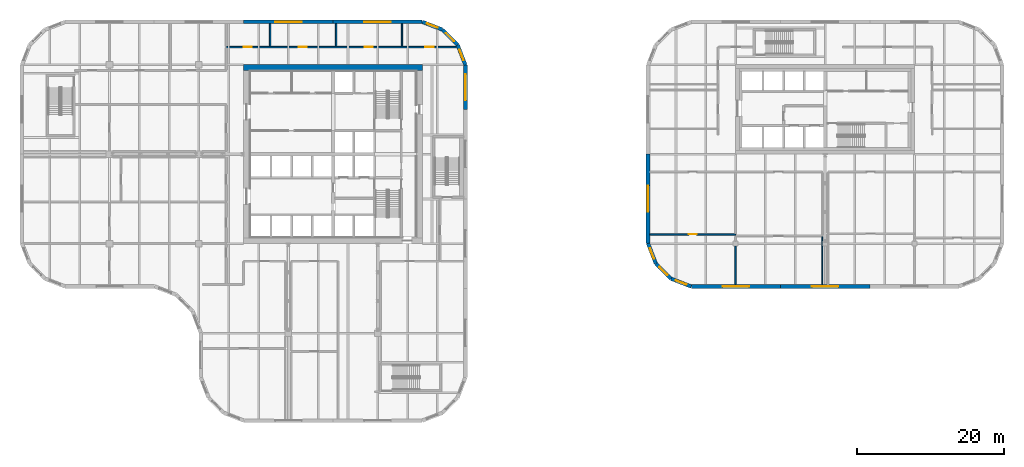
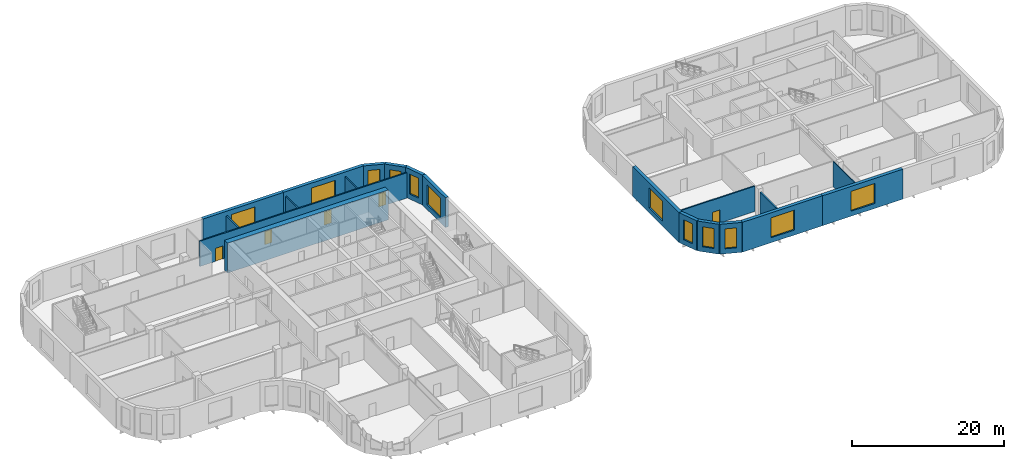
# One storey, part 13 of 21: 20 walls, 12 windows, 5 doors, 17 openings.
"""IFC4 building model written with IfcOpenShell, lengths in metres."""

from ifc_helpers import new_model, si_unit, direction, frame, frame_2d, origin, place, context, subcontext, project, spatial, polyline, rectangle, outline, extrude, faceted_brep, source, transform, mapped, material, layer, layer_set, type_object, element, fill, save


model = new_model("IFC4")

# Units and contexts
model_context = context("Model", 3, precision=1e-05, world=origin(), true_north=direction((0.0, 1.0)))
body_context = subcontext(model_context, "Body", "Model", "MODEL_VIEW")
ifc_project = project(units=[si_unit("LENGTHUNIT", "METRE"), si_unit("AREAUNIT", "SQUARE_METRE"), si_unit("VOLUMEUNIT", "CUBIC_METRE"), si_unit("PLANEANGLEUNIT", "RADIAN"), si_unit("MASSUNIT", "GRAM", prefix="KILO")], contexts=[model_context])

# Site, building, storey
site_placement = place(None, origin())
site = spatial("IfcSite", under=ifc_project, at=site_placement, CompositionType="ELEMENT")
building_placement = place(site_placement, origin())
building = spatial("IfcBuilding", under=site, at=building_placement, Name="Tessera Gate Towers", CompositionType="ELEMENT")
storey_placement = place(building_placement, frame((0.0, 0.0, 63.800048828125)))
storey = spatial("IfcBuildingStorey", under=building, at=storey_placement, Name="L15", CompositionType="ELEMENT", Elevation=63.800048828125)

# Walls
ifc_material_1 = material(Name="Gypsum board on steel studs, mineral wool", Category="steel")
ifc_layer_1 = layer(ifc_material_1, 0.14990234375)
ifc_layer_set_1 = layer_set([ifc_layer_1], Name="CHASE WALL 150")
wall_type_1 = type_object("IfcWallType", Name="CHASE WALL 150", PredefinedType="PARTITIONING", material=ifc_layer_set_1)
wall_1_placement = place(storey_placement, frame((109.39990234375, 18.800048828125, 0.0), z_axis=(0.0, 0.0, 1.0), x_axis=(0.0, 1.0, 0.0)))
element("IfcWall", 1, at=wall_1_placement, inside=storey, type_object=wall_type_1, Name="T2-L15-PW-002", PredefinedType="PARTITIONING", context=body_context, shape_type="SweptSolid", body=[
    extrude(rectangle(XDim=6.549072265625, YDim=0.14990234375, at=frame_2d((3.2744140625, 0.0))), origin(), (0.0, 0.0, 1.0), 4.06689453125),
])
ifc_material_2 = material(Name="Concrete C60/75", Category="concrete")
ifc_layer_2 = layer(ifc_material_2, 0.800048828125)
ifc_layer_set_2 = layer_set([ifc_layer_2], Name="CORE SHEAR WALL 800 C60/75")
wall_type_2 = type_object("IfcWallType", Name="CORE SHEAR WALL 800 C60/75", PredefinedType="SHEAR", material=ifc_layer_set_2)
wall_2_placement = place(storey_placement, frame((30.5, 48.39990234375, 0.0), z_axis=(0.0, 0.0, 1.0), x_axis=(1.0, 0.0, 0.0)))
element("IfcWall", 2, at=wall_2_placement, inside=storey, type_object=wall_type_2, Name="Core wall N L15", PredefinedType="SHEAR", context=body_context, shape_type="SweptSolid", body=[
    extrude(rectangle(XDim=24.39990234375, YDim=0.800048828125, at=frame_2d((12.199951171875, 0.0))), origin(), (0.0, 0.0, 1.0), 4.800048828125),
])

# Wall, openings, doors
ifc_material_3 = material(Name="Concrete masonry unit", Category="masonry")
ifc_layer_3 = layer(ifc_material_3, 0.199951171875)
ifc_layer_set_3 = layer_set([ifc_layer_3], Name="PLANT WALL 200")
wall_type_3 = type_object("IfcWallType", Name="PLANT WALL 200", PredefinedType="PARTITIONING", material=ifc_layer_set_3)
wall_3_placement = place(storey_placement, frame((28.10009765625, 51.199951171875, 0.0), z_axis=(0.0, 0.0, 1.0), x_axis=(1.0, 0.0, 0.0)))
wall_3 = element("IfcWall", 3, at=wall_3_placement, inside=storey, type_object=wall_type_3, Name="T1-L15-PW-045", PredefinedType="PARTITIONING", context=body_context, shape_type="SweptSolid", body=[
    extrude(rectangle(XDim=31.4130859375, YDim=0.199951171875, at=frame_2d((15.70654296875, 0.0))), origin(), (0.0, 0.0, 1.0), 4.06689453125),
])
shared_shape_1 = source(origin(), body_context, "Body", "SweptSolid", [
    extrude(rectangle(XDim=1.10009765625, YDim=2.10009765625, at=frame_2d((0.550048828125, 1.050048828125))), frame((0.0, 0.10986328125, 0.0), z_axis=(0.0, -1.0, 0.0), x_axis=(1.0, 0.0, 0.0)), (0.0, 0.0, 1.0), 0.219970703125),
])
opening_1_placement = place(wall_3_placement, frame((2.39990234375, 0.0, 0.0)))
opening_1 = element("IfcOpeningElement", 4, at=opening_1_placement, cuts=wall_3, Name="Opening D5110FD90-A30-09", PredefinedType="OPENING", context=body_context, shape_type="MappedRepresentation", body=[
    mapped(shared_shape_1, transform((0.0, 0.0, 0.0), scale=1.0)),
])
opening_2_placement = place(wall_3_placement, frame((27.200927734375, 0.0, 0.0)))
opening_2 = element("IfcOpeningElement", 5, at=opening_2_placement, cuts=wall_3, Name="Opening D5110FD90-A30-14", PredefinedType="OPENING", context=body_context, shape_type="MappedRepresentation", body=[
    mapped(shared_shape_1, transform((0.0, 0.0, 0.0), scale=1.0)),
])
opening_3_placement = place(wall_3_placement, frame((18.90087890625, 0.0, 0.0)))
opening_3 = element("IfcOpeningElement", 6, at=opening_3_placement, cuts=wall_3, Name="Opening D5110FD90-A30-19", PredefinedType="OPENING", context=body_context, shape_type="MappedRepresentation", body=[
    mapped(shared_shape_1, transform((0.0, 0.0, 0.0), scale=1.0)),
])
opening_4_placement = place(wall_3_placement, frame((9.89990234375, 0.0, 0.0)))
opening_4 = element("IfcOpeningElement", 7, at=opening_4_placement, cuts=wall_3, Name="Opening D5110FD90-A30-20", PredefinedType="OPENING", context=body_context, shape_type="MappedRepresentation", body=[
    mapped(shared_shape_1, transform((0.0, 0.0, 0.0), scale=1.0)),
])
ifc_material_4 = material(Name="Timber door leaf in steel frame", Category="steel")
door_type = type_object("IfcDoorType", Name="PLANT DOOR 1100 FD90", OperationType="NOTDEFINED", PredefinedType="DOOR", material=ifc_material_4)
shared_shape_2 = source(origin(), body_context, "Body", "SweptSolid", [
    extrude(rectangle(XDim=1.10009765625, YDim=2.10009765625, at=frame_2d((0.550048828125, 1.050048828125))), frame((0.0, 0.02490234375, 0.0), z_axis=(0.0, -1.0, 0.0), x_axis=(1.0, 0.0, 0.0)), (0.0, 0.0, 1.0), 0.050048828125),
])
door_1_placement = place(opening_1_placement, origin())
door_1 = element("IfcDoor", 8, at=door_1_placement, inside=storey, type_object=door_type, Name="T1-L15-PD-009", OperationType="SINGLE_SWING_LEFT", OverallHeight=2.10009765625, OverallWidth=1.10009765625, PredefinedType="DOOR", context=body_context, shape_type="MappedRepresentation", body=[
    mapped(shared_shape_2, transform((0.0, 0.0, 0.0), scale=1.0)),
])
fill(opening_1, door_1)
door_2_placement = place(opening_2_placement, origin())
door_2 = element("IfcDoor", 9, at=door_2_placement, inside=storey, type_object=door_type, Name="T1-L15-PD-014", OperationType="SINGLE_SWING_LEFT", OverallHeight=2.10009765625, OverallWidth=1.10009765625, PredefinedType="DOOR", context=body_context, shape_type="MappedRepresentation", body=[
    mapped(shared_shape_2, transform((0.0, 0.0, 0.0), scale=1.0)),
])
fill(opening_2, door_2)
door_3_placement = place(opening_3_placement, origin())
door_3 = element("IfcDoor", 10, at=door_3_placement, inside=storey, type_object=door_type, Name="T1-L15-PD-019", OperationType="SINGLE_SWING_LEFT", OverallHeight=2.10009765625, OverallWidth=1.10009765625, PredefinedType="DOOR", context=body_context, shape_type="MappedRepresentation", body=[
    mapped(shared_shape_2, transform((0.0, 0.0, 0.0), scale=1.0)),
])
fill(opening_3, door_3)
door_4_placement = place(opening_4_placement, origin())
door_4 = element("IfcDoor", 11, at=door_4_placement, inside=storey, type_object=door_type, Name="T1-L15-PD-020", OperationType="SINGLE_SWING_LEFT", OverallHeight=2.10009765625, OverallWidth=1.10009765625, PredefinedType="DOOR", context=body_context, shape_type="MappedRepresentation", body=[
    mapped(shared_shape_2, transform((0.0, 0.0, 0.0), scale=1.0)),
])
fill(opening_4, door_4)

# Walls
for number, where, z_axis, x_axis, name in (
    (12, (34.10009765625, 51.301025390625, 0.0), (0.0, 0.0, 1.0), (0.0, 1.0, 0.0), "T1-L15-PW-047"),
    (13, (43.10009765625, 51.301025390625, 0.0), (0.0, 0.0, 1.0), (0.0, 1.0, 0.0), "T1-L15-PW-048"),
    (14, (52.10009765625, 51.301025390625, 0.0), (0.0, 0.0, 1.0), (0.0, 1.0, 0.0), "T1-L15-PW-049"),
):
    element("IfcWall", number, at=place(storey_placement, frame(where, z_axis=z_axis, x_axis=x_axis)), inside=storey, type_object=wall_type_3, Name=name, PredefinedType="PARTITIONING", context=body_context, shape_type="SweptSolid", body=[
        extrude(rectangle(XDim=3.098876953125, YDim=0.199951171875, at=frame_2d((1.54931640625, 0.0))), origin(), (0.0, 0.0, 1.0), 4.06689453125),
    ])
wall_4_placement = place(storey_placement, frame((97.60009765625, 18.800048828125, 0.0), z_axis=(0.0, 0.0, 1.0), x_axis=(0.0, 1.0, 0.0)))
element("IfcWall", 15, at=wall_4_placement, inside=storey, type_object=wall_type_3, Name="T2-L15-PW-001", PredefinedType="PARTITIONING", context=body_context, shape_type="SweptSolid", body=[
    extrude(rectangle(XDim=5.2490234375, YDim=0.199951171875, at=frame_2d((2.62451171875, 0.0))), origin(), (0.0, 0.0, 1.0), 4.06689453125),
])

# Wall, opening, door
wall_5_placement = place(storey_placement, frame((97.60009765625, 25.675048828125, 0.0), z_axis=(0.0, 0.0, 1.0), x_axis=(-1.0, 0.0, 0.0)))
wall_5 = element("IfcWall", 16, at=wall_5_placement, inside=storey, type_object=wall_type_3, Name="T2-L15-PW-011", PredefinedType="PARTITIONING", context=body_context, shape_type="SweptSolid", body=[
    extrude(rectangle(XDim=11.7001953125, YDim=0.199951171875, at=frame_2d((5.85009765625, 0.0))), origin(), (0.0, 0.0, 1.0), 4.06689453125),
])
opening_5_placement = place(wall_5_placement, frame((5.300048828125, 0.0, 0.0)))
opening_5 = element("IfcOpeningElement", 17, at=opening_5_placement, cuts=wall_5, Name="Opening D5110FD90-B20-08", PredefinedType="OPENING", context=body_context, shape_type="MappedRepresentation", body=[
    mapped(shared_shape_1, transform((0.0, 0.0, 0.0), scale=1.0)),
])
door_5_placement = place(opening_5_placement, origin())
door_5 = element("IfcDoor", 18, at=door_5_placement, inside=storey, type_object=door_type, Name="T2-L15-PD-008", OperationType="SINGLE_SWING_RIGHT", OverallHeight=2.10009765625, OverallWidth=1.10009765625, PredefinedType="DOOR", context=body_context, shape_type="MappedRepresentation", body=[
    mapped(shared_shape_2, transform((0.0, 0.0, 0.0), scale=1.0)),
])
fill(opening_5, door_5)

# Wall, opening, window
ifc_material_5 = material(Name="Precast concrete C60/75 white", Category="concrete")
ifc_layer_4 = layer(ifc_material_5, 0.5)
ifc_layer_set_4 = layer_set([ifc_layer_4], Name="RB1 ring band panel")
wall_type_4 = type_object("IfcWallType", Name="RB1 ring band panel", PredefinedType="SOLIDWALL", material=ifc_layer_set_4)
shared_shape_3 = source(origin(), body_context, "Body", "Brep", [
    faceted_brep([(0.0, -0.25, 0.0), (12.153564453125, -0.25, 0.0), (12.153564453125, -0.25, 4.800048828125), (0.0, -0.25, 4.800048828125), (0.046630859375, 0.25, 4.800048828125), (12.153564453125, 0.25, 4.800048828125), (12.153564453125, 0.25, 0.0), (0.046630859375, 0.25, 0.0), (0.0, 0.0, 0.0), (0.0, 0.0, 4.800048828125)], [[[0, 1, 2, 3]], [[4, 5, 6, 7]], [[7, 6, 1, 0, 8]], [[5, 4, 9, 3, 2]], [[8, 0, 3, 9]], [[7, 8, 9, 4]], [[1, 6, 5, 2]]]),
])
wall_6_placement = place(storey_placement, frame((54.853515625, 54.64990234375, 0.0), z_axis=(0.0, 0.0, 1.0), x_axis=(-1.0, 0.0, 0.0)))
wall_6 = element("IfcWall", 19, at=wall_6_placement, inside=storey, type_object=wall_type_4, Name="Ring band panel T1 RB1-0013", PredefinedType="SOLIDWALL", context=body_context, shape_type="MappedRepresentation", body=[
    mapped(shared_shape_3, transform((0.0, 0.0, 0.0), scale=1.0)),
])
shared_shape_4 = source(origin(), body_context, "Body", "SweptSolid", [
    extrude(outline(polyline([(4.276611328125, 0.800048828125), (7.876708984375, 0.800048828125), (7.876708984375, 4.0), (4.276611328125, 4.0), (4.276611328125, 0.800048828125)])), frame((0.0, 0.260009765625, 0.0), z_axis=(0.0, -1.0, 0.0), x_axis=(1.0, 0.0, 0.0)), (0.0, 0.0, 1.0), 0.52001953125),
])
opening_6_placement = place(wall_6_placement, origin())
opening_6 = element("IfcOpeningElement", 20, at=opening_6_placement, cuts=wall_6, Name="Opening T1-WN-LV1-0013", PredefinedType="OPENING", context=body_context, shape_type="MappedRepresentation", body=[
    mapped(shared_shape_4, transform((0.0, 0.0, 0.0), scale=1.0)),
])
ifc_material_6 = material(Name="Aluminium louvre", Category="aluminium")
ifc_layer_5 = layer(ifc_material_6, 0.06005859375)
ifc_layer_set_5 = layer_set([ifc_layer_5], Name="LV1 louvre")
window_type = type_object("IfcWindowType", Name="LV1 louvre", PartitioningType="USERDEFINED", PredefinedType="WINDOW", material=ifc_layer_set_5)
shared_shape_5 = source(origin(), body_context, "Body", "SweptSolid", [
    extrude(outline(polyline([(4.276611328125, 0.800048828125), (7.876708984375, 0.800048828125), (7.876708984375, 4.0), (4.276611328125, 4.0), (4.276611328125, 0.800048828125)])), frame((0.0, 0.030029296875, 0.0), z_axis=(0.0, -1.0, 0.0), x_axis=(1.0, 0.0, 0.0)), (0.0, 0.0, 1.0), 0.06005859375),
])
window_1_placement = place(opening_6_placement, origin())
window_1 = element("IfcWindow", 21, at=window_1_placement, inside=storey, type_object=window_type, Name="Louvre T1 WN-LV1-0013", OverallHeight=3.199951171875, OverallWidth=3.60009765625, PartitioningType="USERDEFINED", PredefinedType="WINDOW", context=body_context, shape_type="MappedRepresentation", body=[
    mapped(shared_shape_5, transform((0.0, 0.0, 0.0), scale=1.0)),
])
fill(opening_6, window_1)

wall_7_placement = place(storey_placement, frame((91.546630859375, 18.550048828125, 0.0), z_axis=(0.0, 0.0, 1.0), x_axis=(1.0, 0.0, 0.0)))
wall_7 = element("IfcWall", 22, at=wall_7_placement, inside=storey, type_object=wall_type_4, Name="Ring band panel T2 RB1-0001", PredefinedType="SOLIDWALL", context=body_context, shape_type="MappedRepresentation", body=[
    mapped(shared_shape_3, transform((0.0, 0.0, 0.0), scale=1.0)),
])
opening_7_placement = place(wall_7_placement, origin())
opening_7 = element("IfcOpeningElement", 23, at=opening_7_placement, cuts=wall_7, Name="Opening T2-WN-LV1-0001", PredefinedType="OPENING", context=body_context, shape_type="MappedRepresentation", body=[
    mapped(shared_shape_4, transform((0.0, 0.0, 0.0), scale=1.0)),
])
window_2_placement = place(opening_7_placement, origin())
window_2 = element("IfcWindow", 24, at=window_2_placement, inside=storey, type_object=window_type, Name="Louvre T2 WN-LV1-0001", OverallHeight=3.199951171875, OverallWidth=3.60009765625, PartitioningType="USERDEFINED", PredefinedType="WINDOW", context=body_context, shape_type="MappedRepresentation", body=[
    mapped(shared_shape_5, transform((0.0, 0.0, 0.0), scale=1.0)),
])
fill(opening_7, window_2)

shared_shape_6 = source(origin(), body_context, "Body", "Brep", [
    faceted_brep([(0.0, -0.25, 0.0), (12.153564453125, -0.25, 0.0), (12.153564453125, -0.25, 4.800048828125), (0.0, -0.25, 4.800048828125), (0.0, 0.25, 4.800048828125), (12.10693359375, 0.25, 4.800048828125), (12.10693359375, 0.25, 0.0), (0.0, 0.25, 0.0), (12.153564453125, -0.00048828125, 0.0), (12.153564453125, -0.00048828125, 4.800048828125)], [[[0, 1, 2, 3]], [[4, 5, 6, 7]], [[7, 6, 8, 1, 0]], [[9, 2, 1, 8]], [[5, 4, 3, 2, 9]], [[4, 7, 0, 3]], [[8, 6, 5, 9]]]),
])
wall_8_placement = place(storey_placement, frame((85.64990234375, 36.60009765625, 0.0), z_axis=(0.0, 0.0, 1.0), x_axis=(0.0, -1.0, 0.0)))
wall_8 = element("IfcWall", 25, at=wall_8_placement, inside=storey, type_object=wall_type_4, Name="Ring band panel T2 RB1-0019", PredefinedType="SOLIDWALL", context=body_context, shape_type="MappedRepresentation", body=[
    mapped(shared_shape_6, transform((0.0, 0.0, 0.0), scale=1.0)),
])
opening_8_placement = place(wall_8_placement, origin())
opening_8 = element("IfcOpeningElement", 26, at=opening_8_placement, cuts=wall_8, Name="Opening T2-WN-LV1-0019", PredefinedType="OPENING", context=body_context, shape_type="MappedRepresentation", body=[
    mapped(shared_shape_4, transform((0.0, 0.0, 0.0), scale=1.0)),
])
window_3_placement = place(opening_8_placement, origin())
window_3 = element("IfcWindow", 27, at=window_3_placement, inside=storey, type_object=window_type, Name="Louvre T2 WN-LV1-0019", OverallHeight=3.199951171875, OverallWidth=3.60009765625, PartitioningType="USERDEFINED", PredefinedType="WINDOW", context=body_context, shape_type="MappedRepresentation", body=[
    mapped(shared_shape_5, transform((0.0, 0.0, 0.0), scale=1.0)),
])
fill(opening_8, window_3)

shared_shape_7 = source(origin(), body_context, "Body", "Brep", [
    faceted_brep([(0.0, -0.25, 0.0), (2.950439453125, -0.25, 0.0), (2.950439453125, -0.25, 4.800048828125), (0.0, -0.25, 4.800048828125), (0.046630859375, 0.25, 4.800048828125), (2.897705078125, 0.25, 4.800048828125), (2.897705078125, 0.25, 0.0), (0.046630859375, 0.25, 0.0), (2.950439453125, 0.00048828125, 0.0), (0.0, 0.0, 0.0), (2.950439453125, 0.00048828125, 4.800048828125), (0.0, 0.0, 4.800048828125)], [[[0, 1, 2, 3]], [[4, 5, 6, 7]], [[7, 6, 8, 1, 0, 9]], [[10, 2, 1, 8]], [[5, 4, 11, 3, 2, 10]], [[9, 0, 3, 11]], [[7, 9, 11, 4]], [[8, 6, 5, 10]]]),
])
wall_9_placement = place(storey_placement, frame((60.75, 48.75341796875, 0.0), z_axis=(0.0, 0.0, 1.0), x_axis=(-0.359877213415, 0.932999673775, 0.0)))
wall_9 = element("IfcWall", 28, at=wall_9_placement, inside=storey, type_object=wall_type_4, Name="Ring band panel T1 RB1-0010", PredefinedType="SOLIDWALL", context=body_context, shape_type="MappedRepresentation", body=[
    mapped(shared_shape_7, transform((0.0, 0.0, 0.0), scale=1.0)),
])
shared_shape_8 = source(origin(), body_context, "Body", "SweptSolid", [
    extrude(outline(polyline([(0.699951171875, 0.800048828125), (2.25048828125, 0.800048828125), (2.25048828125, 4.0), (0.699951171875, 4.0), (0.699951171875, 0.800048828125)])), frame((0.0, 0.260009765625, 0.0), z_axis=(0.0, -1.0, 0.0), x_axis=(1.0, 0.0, 0.0)), (0.0, 0.0, 1.0), 0.52001953125),
])
opening_9_placement = place(wall_9_placement, origin())
opening_9 = element("IfcOpeningElement", 29, at=opening_9_placement, cuts=wall_9, Name="Opening T1-WN-LV1-0010", PredefinedType="OPENING", context=body_context, shape_type="MappedRepresentation", body=[
    mapped(shared_shape_8, transform((0.0, 0.0, 0.0), scale=1.0)),
])
shared_shape_9 = source(origin(), body_context, "Body", "SweptSolid", [
    extrude(outline(polyline([(0.699951171875, 0.800048828125), (2.25048828125, 0.800048828125), (2.25048828125, 4.0), (0.699951171875, 4.0), (0.699951171875, 0.800048828125)])), frame((0.0, 0.030029296875, 0.0), z_axis=(0.0, -1.0, 0.0), x_axis=(1.0, 0.0, 0.0)), (0.0, 0.0, 1.0), 0.06005859375),
])
window_4_placement = place(opening_9_placement, origin())
window_4 = element("IfcWindow", 30, at=window_4_placement, inside=storey, type_object=window_type, Name="Louvre T1 WN-LV1-0010", OverallHeight=3.199951171875, OverallWidth=1.550537109375, PartitioningType="USERDEFINED", PredefinedType="WINDOW", context=body_context, shape_type="MappedRepresentation", body=[
    mapped(shared_shape_9, transform((0.0, 0.0, 0.0), scale=1.0)),
])
fill(opening_9, window_4)

wall_10_placement = place(storey_placement, frame((85.64990234375, 24.446533203125, 0.0), z_axis=(0.0, 0.0, 1.0), x_axis=(0.359949242603, -0.932971887438, 0.0)))
wall_10 = element("IfcWall", 31, at=wall_10_placement, inside=storey, type_object=wall_type_4, Name="Ring band panel T2 RB1-0020", PredefinedType="SOLIDWALL", context=body_context, shape_type="MappedRepresentation", body=[
    mapped(shared_shape_7, transform((0.0, 0.0, 0.0), scale=1.0)),
])
opening_10_placement = place(wall_10_placement, origin())
opening_10 = element("IfcOpeningElement", 32, at=opening_10_placement, cuts=wall_10, Name="Opening T2-WN-LV1-0020", PredefinedType="OPENING", context=body_context, shape_type="MappedRepresentation", body=[
    mapped(shared_shape_8, transform((0.0, 0.0, 0.0), scale=1.0)),
])
window_5_placement = place(opening_10_placement, origin())
window_5 = element("IfcWindow", 33, at=window_5_placement, inside=storey, type_object=window_type, Name="Louvre T2 WN-LV1-0020", OverallHeight=3.199951171875, OverallWidth=1.550537109375, PartitioningType="USERDEFINED", PredefinedType="WINDOW", context=body_context, shape_type="MappedRepresentation", body=[
    mapped(shared_shape_9, transform((0.0, 0.0, 0.0), scale=1.0)),
])
fill(opening_10, window_5)

shared_shape_10 = source(origin(), body_context, "Body", "Brep", [
    faceted_brep([(0.0, -0.25, 0.0), (2.944091796875, -0.25, 0.0), (2.944091796875, -0.25, 4.800048828125), (0.0, -0.25, 4.800048828125), (0.052978515625, 0.25, 4.800048828125), (2.89111328125, 0.25, 4.800048828125), (2.89111328125, 0.25, 0.0), (0.052978515625, 0.25, 0.0), (2.944091796875, 0.000244140625, 0.0), (0.0, 0.0, 0.0), (2.944091796875, 0.000244140625, 4.800048828125), (0.0, 0.0, 4.800048828125)], [[[0, 1, 2, 3]], [[4, 5, 6, 7]], [[7, 6, 8, 1, 0, 9]], [[10, 2, 1, 8]], [[5, 4, 11, 3, 2, 10]], [[9, 0, 3, 11]], [[7, 9, 11, 4]], [[8, 6, 5, 10]]]),
])
wall_11_placement = place(storey_placement, frame((59.68798828125, 51.50634765625, 0.0), z_axis=(0.0, 0.0, 1.0), x_axis=(-0.707106781187, 0.707106781187, 0.0)))
wall_11 = element("IfcWall", 34, at=wall_11_placement, inside=storey, type_object=wall_type_4, Name="Ring band panel T1 RB1-0011", PredefinedType="SOLIDWALL", context=body_context, shape_type="MappedRepresentation", body=[
    mapped(shared_shape_10, transform((0.0, 0.0, 0.0), scale=1.0)),
])
shared_shape_11 = source(origin(), body_context, "Body", "SweptSolid", [
    extrude(outline(polyline([(0.699951171875, 0.800048828125), (2.244140625, 0.800048828125), (2.244140625, 4.0), (0.699951171875, 4.0), (0.699951171875, 0.800048828125)])), frame((0.0, 0.260009765625, 0.0), z_axis=(0.0, -1.0, 0.0), x_axis=(1.0, 0.0, 0.0)), (0.0, 0.0, 1.0), 0.52001953125),
])
opening_11_placement = place(wall_11_placement, origin())
opening_11 = element("IfcOpeningElement", 35, at=opening_11_placement, cuts=wall_11, Name="Opening T1-WN-LV1-0011", PredefinedType="OPENING", context=body_context, shape_type="MappedRepresentation", body=[
    mapped(shared_shape_11, transform((0.0, 0.0, 0.0), scale=1.0)),
])
shared_shape_12 = source(origin(), body_context, "Body", "SweptSolid", [
    extrude(outline(polyline([(0.699951171875, 0.800048828125), (2.244140625, 0.800048828125), (2.244140625, 4.0), (0.699951171875, 4.0), (0.699951171875, 0.800048828125)])), frame((0.0, 0.030029296875, 0.0), z_axis=(0.0, -1.0, 0.0), x_axis=(1.0, 0.0, 0.0)), (0.0, 0.0, 1.0), 0.06005859375),
])
window_6_placement = place(opening_11_placement, origin())
window_6 = element("IfcWindow", 36, at=window_6_placement, inside=storey, type_object=window_type, Name="Louvre T1 WN-LV1-0011", OverallHeight=3.199951171875, OverallWidth=1.544189453125, PartitioningType="USERDEFINED", PredefinedType="WINDOW", context=body_context, shape_type="MappedRepresentation", body=[
    mapped(shared_shape_12, transform((0.0, 0.0, 0.0), scale=1.0)),
])
fill(opening_11, window_6)

wall_12_placement = place(storey_placement, frame((86.7119140625, 21.69384765625, 0.0), z_axis=(0.0, 0.0, 1.0), x_axis=(0.707106781187, -0.707106781187, 0.0)))
wall_12 = element("IfcWall", 37, at=wall_12_placement, inside=storey, type_object=wall_type_4, Name="Ring band panel T2 RB1-0021", PredefinedType="SOLIDWALL", context=body_context, shape_type="MappedRepresentation", body=[
    mapped(shared_shape_10, transform((0.0, 0.0, 0.0), scale=1.0)),
])
opening_12_placement = place(wall_12_placement, origin())
opening_12 = element("IfcOpeningElement", 38, at=opening_12_placement, cuts=wall_12, Name="Opening T2-WN-LV1-0021", PredefinedType="OPENING", context=body_context, shape_type="MappedRepresentation", body=[
    mapped(shared_shape_11, transform((0.0, 0.0, 0.0), scale=1.0)),
])
window_7_placement = place(opening_12_placement, origin())
window_7 = element("IfcWindow", 39, at=window_7_placement, inside=storey, type_object=window_type, Name="Louvre T2 WN-LV1-0021", OverallHeight=3.199951171875, OverallWidth=1.544189453125, PartitioningType="USERDEFINED", PredefinedType="WINDOW", context=body_context, shape_type="MappedRepresentation", body=[
    mapped(shared_shape_12, transform((0.0, 0.0, 0.0), scale=1.0)),
])
fill(opening_12, window_7)

shared_shape_13 = source(origin(), body_context, "Body", "Brep", [
    faceted_brep([(0.0, -0.25, 0.0), (2.950439453125, -0.25, 0.0), (2.950439453125, -0.25, 4.800048828125), (0.0, -0.25, 4.800048828125), (0.052978515625, 0.25, 4.800048828125), (2.904052734375, 0.25, 4.800048828125), (2.904052734375, 0.25, 0.0), (0.052978515625, 0.25, 0.0), (2.950439453125, 0.00048828125, 0.0), (0.0, 0.0, 0.0), (2.950439453125, 0.00048828125, 4.800048828125), (0.0, 0.0, 4.800048828125)], [[[0, 1, 2, 3]], [[4, 5, 6, 7]], [[7, 6, 8, 1, 0, 9]], [[10, 2, 1, 8]], [[5, 4, 11, 3, 2, 10]], [[9, 0, 3, 11]], [[7, 9, 11, 4]], [[8, 6, 5, 10]]]),
])
wall_13_placement = place(storey_placement, frame((57.606201171875, 53.588134765625, 0.0), z_axis=(0.0, 0.0, 1.0), x_axis=(-0.932999673775, 0.359877213415, 0.0)))
wall_13 = element("IfcWall", 40, at=wall_13_placement, inside=storey, type_object=wall_type_4, Name="Ring band panel T1 RB1-0012", PredefinedType="SOLIDWALL", context=body_context, shape_type="MappedRepresentation", body=[
    mapped(shared_shape_13, transform((0.0, 0.0, 0.0), scale=1.0)),
])
opening_13_placement = place(wall_13_placement, origin())
opening_13 = element("IfcOpeningElement", 41, at=opening_13_placement, cuts=wall_13, Name="Opening T1-WN-LV1-0012", PredefinedType="OPENING", context=body_context, shape_type="MappedRepresentation", body=[
    mapped(shared_shape_8, transform((0.0, 0.0, 0.0), scale=1.0)),
])
window_8_placement = place(opening_13_placement, origin())
window_8 = element("IfcWindow", 42, at=window_8_placement, inside=storey, type_object=window_type, Name="Louvre T1 WN-LV1-0012", OverallHeight=3.199951171875, OverallWidth=1.550537109375, PartitioningType="USERDEFINED", PredefinedType="WINDOW", context=body_context, shape_type="MappedRepresentation", body=[
    mapped(shared_shape_9, transform((0.0, 0.0, 0.0), scale=1.0)),
])
fill(opening_13, window_8)

wall_14_placement = place(storey_placement, frame((88.793701171875, 19.61181640625, 0.0), z_axis=(0.0, 0.0, 1.0), x_axis=(0.932999673775, -0.359877213415, 0.0)))
wall_14 = element("IfcWall", 43, at=wall_14_placement, inside=storey, type_object=wall_type_4, Name="Ring band panel T2 RB1-0022", PredefinedType="SOLIDWALL", context=body_context, shape_type="MappedRepresentation", body=[
    mapped(shared_shape_13, transform((0.0, 0.0, 0.0), scale=1.0)),
])
opening_14_placement = place(wall_14_placement, origin())
opening_14 = element("IfcOpeningElement", 44, at=opening_14_placement, cuts=wall_14, Name="Opening T2-WN-LV1-0022", PredefinedType="OPENING", context=body_context, shape_type="MappedRepresentation", body=[
    mapped(shared_shape_8, transform((0.0, 0.0, 0.0), scale=1.0)),
])
window_9_placement = place(opening_14_placement, origin())
window_9 = element("IfcWindow", 45, at=window_9_placement, inside=storey, type_object=window_type, Name="Louvre T2 WN-LV1-0022", OverallHeight=3.199951171875, OverallWidth=1.550537109375, PartitioningType="USERDEFINED", PredefinedType="WINDOW", context=body_context, shape_type="MappedRepresentation", body=[
    mapped(shared_shape_9, transform((0.0, 0.0, 0.0), scale=1.0)),
])
fill(opening_14, window_9)

shared_shape_14 = source(origin(), body_context, "Body", "SweptSolid", [
    extrude(outline(polyline([(0.0, 0.0), (12.199951171875, 0.0), (12.199951171875, 4.800048828125), (0.0, 4.800048828125), (0.0, 0.0)])), frame((0.0, 0.25, 0.0), z_axis=(0.0, -1.0, 0.0), x_axis=(1.0, 0.0, 0.0)), (0.0, 0.0, 1.0), 0.5),
])
wall_15_placement = place(storey_placement, frame((42.699951171875, 54.64990234375, 0.0), z_axis=(0.0, 0.0, 1.0), x_axis=(-1.0, 0.0, 0.0)))
wall_15 = element("IfcWall", 46, at=wall_15_placement, inside=storey, type_object=wall_type_4, Name="Ring band panel T1 RB1-0014", PredefinedType="SOLIDWALL", context=body_context, shape_type="MappedRepresentation", body=[
    mapped(shared_shape_14, transform((0.0, 0.0, 0.0), scale=1.0)),
])
shared_shape_15 = source(origin(), body_context, "Body", "SweptSolid", [
    extrude(outline(polyline([(4.300048828125, 0.800048828125), (7.89990234375, 0.800048828125), (7.89990234375, 4.0), (4.300048828125, 4.0), (4.300048828125, 0.800048828125)])), frame((0.0, 0.260009765625, 0.0), z_axis=(0.0, -1.0, 0.0), x_axis=(1.0, 0.0, 0.0)), (0.0, 0.0, 1.0), 0.52001953125),
])
opening_15_placement = place(wall_15_placement, origin())
opening_15 = element("IfcOpeningElement", 47, at=opening_15_placement, cuts=wall_15, Name="Opening T1-WN-LV1-0014", PredefinedType="OPENING", context=body_context, shape_type="MappedRepresentation", body=[
    mapped(shared_shape_15, transform((0.0, 0.0, 0.0), scale=1.0)),
])
shared_shape_16 = source(origin(), body_context, "Body", "SweptSolid", [
    extrude(outline(polyline([(4.300048828125, 0.800048828125), (7.89990234375, 0.800048828125), (7.89990234375, 4.0), (4.300048828125, 4.0), (4.300048828125, 0.800048828125)])), frame((0.0, 0.030029296875, 0.0), z_axis=(0.0, -1.0, 0.0), x_axis=(1.0, 0.0, 0.0)), (0.0, 0.0, 1.0), 0.06005859375),
])
window_10_placement = place(opening_15_placement, origin())
window_10 = element("IfcWindow", 48, at=window_10_placement, inside=storey, type_object=window_type, Name="Louvre T1 WN-LV1-0014", OverallHeight=3.199951171875, OverallWidth=3.599853515625, PartitioningType="USERDEFINED", PredefinedType="WINDOW", context=body_context, shape_type="MappedRepresentation", body=[
    mapped(shared_shape_16, transform((0.0, 0.0, 0.0), scale=1.0)),
])
fill(opening_15, window_10)

wall_16_placement = place(storey_placement, frame((103.699951171875, 18.550048828125, 0.0), z_axis=(0.0, 0.0, 1.0), x_axis=(1.0, 0.0, 0.0)))
wall_16 = element("IfcWall", 49, at=wall_16_placement, inside=storey, type_object=wall_type_4, Name="Ring band panel T2 RB1-0002", PredefinedType="SOLIDWALL", context=body_context, shape_type="MappedRepresentation", body=[
    mapped(shared_shape_14, transform((0.0, 0.0, 0.0), scale=1.0)),
])
opening_16_placement = place(wall_16_placement, origin())
opening_16 = element("IfcOpeningElement", 50, at=opening_16_placement, cuts=wall_16, Name="Opening T2-WN-LV1-0002", PredefinedType="OPENING", context=body_context, shape_type="MappedRepresentation", body=[
    mapped(shared_shape_15, transform((0.0, 0.0, 0.0), scale=1.0)),
])
window_11_placement = place(opening_16_placement, origin())
window_11 = element("IfcWindow", 51, at=window_11_placement, inside=storey, type_object=window_type, Name="Louvre T2 WN-LV1-0002", OverallHeight=3.199951171875, OverallWidth=3.599853515625, PartitioningType="USERDEFINED", PredefinedType="WINDOW", context=body_context, shape_type="MappedRepresentation", body=[
    mapped(shared_shape_16, transform((0.0, 0.0, 0.0), scale=1.0)),
])
fill(opening_16, window_11)

shared_shape_17 = source(origin(), body_context, "Body", "Brep", [
    faceted_brep([(0.0, -0.25, 0.0), (6.053466796875, -0.25, 0.0), (6.053466796875, -0.25, 4.800048828125), (0.0, -0.25, 4.800048828125), (0.0, 0.25, 4.800048828125), (6.0068359375, 0.25, 4.800048828125), (6.0068359375, 0.25, 0.0), (0.0, 0.25, 0.0), (6.053466796875, 0.0, 0.0), (6.053466796875, 0.0, 4.800048828125)], [[[0, 1, 2, 3]], [[4, 5, 6, 7]], [[7, 6, 8, 1, 0]], [[9, 2, 1, 8]], [[5, 4, 3, 2, 9]], [[4, 7, 0, 3]], [[8, 6, 5, 9]]]),
])
wall_17_placement = place(storey_placement, frame((60.75, 42.699951171875, 0.0), z_axis=(0.0, 0.0, 1.0), x_axis=(0.0, 1.0, 0.0)))
wall_17 = element("IfcWall", 52, at=wall_17_placement, inside=storey, type_object=wall_type_4, Name="Ring band panel T1 RB1-0009", PredefinedType="SOLIDWALL", context=body_context, shape_type="MappedRepresentation", body=[
    mapped(shared_shape_17, transform((0.0, 0.0, 0.0), scale=1.0)),
])
shared_shape_18 = source(origin(), body_context, "Body", "SweptSolid", [
    extrude(outline(polyline([(1.226806640625, 0.800048828125), (4.82666015625, 0.800048828125), (4.82666015625, 4.0), (1.226806640625, 4.0), (1.226806640625, 0.800048828125)])), frame((0.0, 0.260009765625, 0.0), z_axis=(0.0, -1.0, 0.0), x_axis=(1.0, 0.0, 0.0)), (0.0, 0.0, 1.0), 0.52001953125),
])
opening_17_placement = place(wall_17_placement, origin())
opening_17 = element("IfcOpeningElement", 53, at=opening_17_placement, cuts=wall_17, Name="Opening T1-WN-LV1-0009", PredefinedType="OPENING", context=body_context, shape_type="MappedRepresentation", body=[
    mapped(shared_shape_18, transform((0.0, 0.0, 0.0), scale=1.0)),
])
shared_shape_19 = source(origin(), body_context, "Body", "SweptSolid", [
    extrude(outline(polyline([(1.226806640625, 0.800048828125), (4.82666015625, 0.800048828125), (4.82666015625, 4.0), (1.226806640625, 4.0), (1.226806640625, 0.800048828125)])), frame((0.0, 0.030029296875, 0.0), z_axis=(0.0, -1.0, 0.0), x_axis=(1.0, 0.0, 0.0)), (0.0, 0.0, 1.0), 0.06005859375),
])
window_12_placement = place(opening_17_placement, origin())
window_12 = element("IfcWindow", 54, at=window_12_placement, inside=storey, type_object=window_type, Name="Louvre T1 WN-LV1-0009", OverallHeight=3.199951171875, OverallWidth=3.599853515625, PartitioningType="USERDEFINED", PredefinedType="WINDOW", context=body_context, shape_type="MappedRepresentation", body=[
    mapped(shared_shape_19, transform((0.0, 0.0, 0.0), scale=1.0)),
])
fill(opening_17, window_12)

save(model, "model.ifc")
